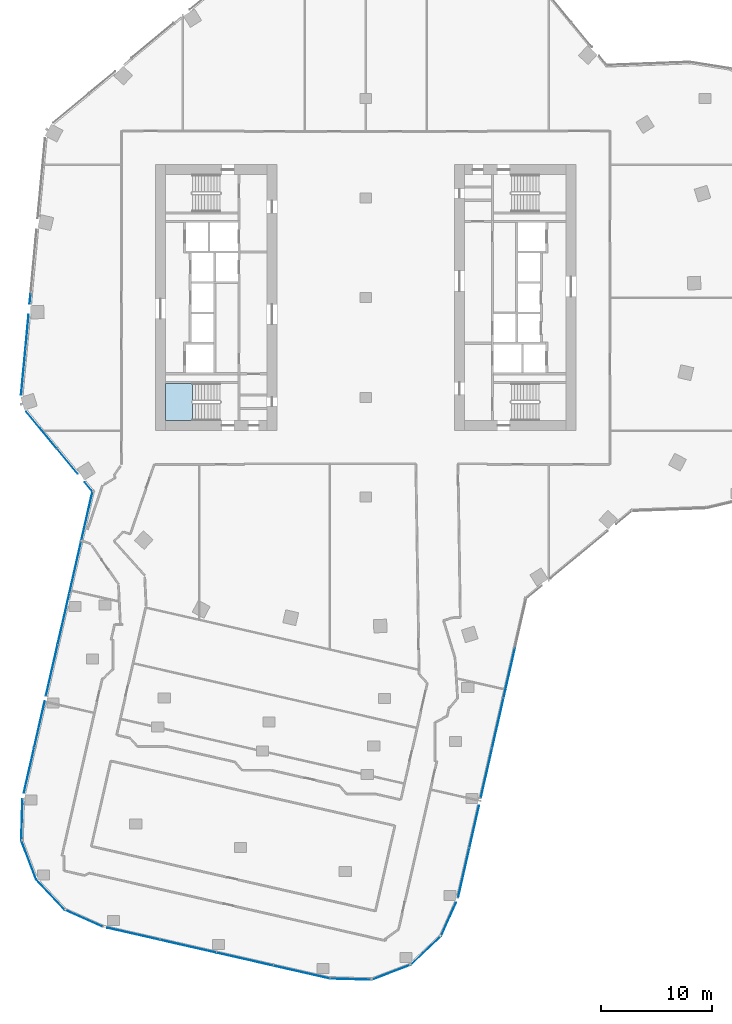
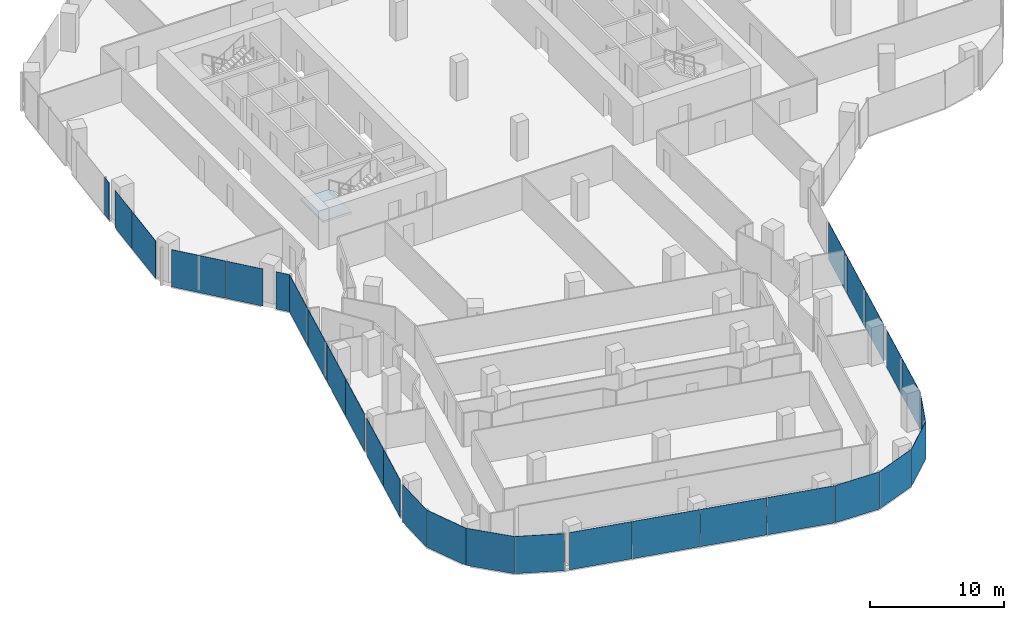
# One storey, part 14 of 24: 29 plates, 1 slab, 14 elements without a shape of their own.
"""IFC4 building model written with IfcOpenShell, lengths in metres."""

from ifc_helpers import new_model, si_unit, direction, frame, origin, origin_2d, place, context, subcontext, project, spatial, polyline, rectangle, outline, extrude, material, layer, layer_set, type_object, element, aggregate, save


model = new_model("IFC4")

# Units and contexts
model_context = context("Model", 3, precision=1e-05, world=origin(), true_north=direction((0.0, 1.0)))
body_context = subcontext(model_context, "Body", "Model", "MODEL_VIEW")
ifc_project = project(units=[si_unit("LENGTHUNIT", "METRE"), si_unit("AREAUNIT", "SQUARE_METRE"), si_unit("VOLUMEUNIT", "CUBIC_METRE"), si_unit("PLANEANGLEUNIT", "RADIAN"), si_unit("MASSUNIT", "GRAM", prefix="KILO")], contexts=[model_context])

# Site, building, storey
site_placement = place(None, origin())
site = spatial("IfcSite", under=ifc_project, at=site_placement, CompositionType="ELEMENT")
building_placement = place(site_placement, origin())
building = spatial("IfcBuilding", under=site, at=building_placement, Name="Orlundy Tower", CompositionType="ELEMENT")
storey_placement = place(building_placement, frame((0.0, 0.0, 174.10009765625)))
storey = spatial("IfcBuildingStorey", under=building, at=storey_placement, Name="L45", CompositionType="ELEMENT", Elevation=174.10009765625)

# Curtain wall, plates
ifc_material_1 = material(Name="Aluminium bronze anodised", Category="aluminium")
curtain_wall_type = type_object("IfcCurtainWallType", Name="CW1 wall", PredefinedType="NOTDEFINED", material=ifc_material_1)
curtain_wall_1_placement = place(storey_placement, origin())
curtain_wall_1 = element("IfcCurtainWall", 1, at=curtain_wall_1_placement, inside=storey, type_object=curtain_wall_type, Name="CW1 run 00", PredefinedType="NOTDEFINED")
ifc_material_2 = material(Name="Tinted glass", Category="glass")
ifc_layer_1 = layer(ifc_material_2, 0.031982421875)
ifc_layer_set_1 = layer_set([ifc_layer_1], Name="CW1 glass panel 32")
plate_type = type_object("IfcPlateType", Name="CW1 glass panel 32", PredefinedType="CURTAIN_PANEL", material=ifc_layer_set_1)
plate_1_placement = place(storey_placement, frame((-30.400390625, -42.668701171875, -0.300048828125), z_axis=(0.0, 0.0, 1.0), x_axis=(0.222096733251, 0.97502463614, 0.0)))
plate_1 = element("IfcPlate", 2, at=plate_1_placement, type_object=plate_type, Name="CW1 panel", PredefinedType="CURTAIN_PANEL", context=body_context, shape_type="SweptSolid", body=[
    extrude(rectangle(XDim=4.1708984375, YDim=0.031982421875, at=origin_2d()), origin(), (0.0, 0.0, 1.0), 3.3798828125),
])
plate_2_placement = place(storey_placement, frame((-29.45654296875, -38.52490234375, -0.300048828125), z_axis=(0.0, 0.0, 1.0), x_axis=(0.222096733251, 0.97502463614, 0.0)))
plate_2 = element("IfcPlate", 3, at=plate_2_placement, type_object=plate_type, Name="CW1 panel", PredefinedType="CURTAIN_PANEL", context=body_context, shape_type="SweptSolid", body=[
    extrude(rectangle(XDim=4.228759765625, YDim=0.031982421875, at=origin_2d()), origin(), (0.0, 0.0, 1.0), 3.3798828125),
])
plate_3_placement = place(storey_placement, frame((-28.347412109375, -33.656005859375, -0.300048828125), z_axis=(0.0, 0.0, 1.0), x_axis=(0.222096733251, 0.97502463614, 0.0)))
plate_3 = element("IfcPlate", 4, at=plate_3_placement, type_object=plate_type, Name="CW1 panel", PredefinedType="CURTAIN_PANEL", context=body_context, shape_type="SweptSolid", body=[
    extrude(rectangle(XDim=4.705322265625, YDim=0.031982421875, at=origin_2d()), origin(), (0.0, 0.0, 1.0), 3.3798828125),
])
plate_4_placement = place(storey_placement, frame((-27.291259765625, -29.019287109375, -0.300048828125), z_axis=(0.0, 0.0, 1.0), x_axis=(0.222096733251, 0.97502463614, 0.0)))
plate_4 = element("IfcPlate", 5, at=plate_4_placement, type_object=plate_type, Name="CW1 panel", PredefinedType="CURTAIN_PANEL", context=body_context, shape_type="SweptSolid", body=[
    extrude(rectangle(XDim=4.705322265625, YDim=0.031982421875, at=origin_2d()), origin(), (0.0, 0.0, 1.0), 3.3798828125),
])
plate_5_placement = place(storey_placement, frame((-26.235107421875, -24.382568359375, -0.300048828125), z_axis=(0.0, 0.0, 1.0), x_axis=(0.222096733251, 0.97502463614, 0.0)))
plate_5 = element("IfcPlate", 6, at=plate_5_placement, type_object=plate_type, Name="CW1 panel", PredefinedType="CURTAIN_PANEL", context=body_context, shape_type="SweptSolid", body=[
    extrude(rectangle(XDim=4.705322265625, YDim=0.031982421875, at=origin_2d()), origin(), (0.0, 0.0, 1.0), 3.3798828125),
])
plate_6_placement = place(storey_placement, frame((-25.185302734375, -19.773193359375, -0.300048828125), z_axis=(0.0, 0.0, 1.0), x_axis=(0.222096733251, 0.97502463614, 0.0)))
plate_6 = element("IfcPlate", 7, at=plate_6_placement, type_object=plate_type, Name="CW1 panel", PredefinedType="CURTAIN_PANEL", context=body_context, shape_type="SweptSolid", body=[
    extrude(rectangle(XDim=4.649658203125, YDim=0.031982421875, at=origin_2d()), origin(), (0.0, 0.0, 1.0), 3.3798828125),
])
aggregate(curtain_wall_1, [plate_1, plate_2, plate_3, plate_4, plate_5, plate_6])

curtain_wall_2_placement = place(storey_placement, origin())
curtain_wall_2 = element("IfcCurtainWall", 8, at=curtain_wall_2_placement, inside=storey, type_object=curtain_wall_type, Name="CW1 run 01", PredefinedType="NOTDEFINED")
plate_7_placement = place(storey_placement, frame((-25.015625, -17.08837890625, -0.300048828125), z_axis=(0.0, 0.0, 1.0), x_axis=(-0.638299162368, 0.769788399055, 0.0)))
plate_7 = element("IfcPlate", 9, at=plate_7_placement, type_object=plate_type, Name="CW1 panel", PredefinedType="CURTAIN_PANEL", context=body_context, shape_type="SweptSolid", body=[
    extrude(rectangle(XDim=1.086181640625, YDim=0.031982421875, at=origin_2d()), origin(), (0.0, 0.0, 1.0), 3.3798828125),
])
plate_8_placement = place(storey_placement, frame((-26.939453125, -14.76806640625, -0.300048828125), z_axis=(0.0, 0.0, 1.0), x_axis=(-0.638299162368, 0.769788399055, 0.0)))
plate_8 = element("IfcPlate", 10, at=plate_8_placement, type_object=plate_type, Name="CW1 panel", PredefinedType="CURTAIN_PANEL", context=body_context, shape_type="SweptSolid", body=[
    extrude(rectangle(XDim=2.910400390625, YDim=0.031982421875, at=origin_2d()), origin(), (0.0, 0.0, 1.0), 3.3798828125),
])
plate_9_placement = place(storey_placement, frame((-29.271240234375, -11.9560546875, -0.300048828125), z_axis=(0.0, 0.0, 1.0), x_axis=(-0.638299162368, 0.769788399055, 0.0)))
plate_9 = element("IfcPlate", 11, at=plate_9_placement, type_object=plate_type, Name="CW1 panel", PredefinedType="CURTAIN_PANEL", context=body_context, shape_type="SweptSolid", body=[
    extrude(rectangle(XDim=4.2958984375, YDim=0.031982421875, at=origin_2d()), origin(), (0.0, 0.0, 1.0), 3.3798828125),
])
aggregate(curtain_wall_2, [plate_7, plate_8, plate_9])

curtain_wall_3_placement = place(storey_placement, origin())
curtain_wall_3 = element("IfcCurtainWall", 12, at=curtain_wall_3_placement, inside=storey, type_object=curtain_wall_type, Name="CW1 run 02", PredefinedType="NOTDEFINED")
plate_10_placement = place(storey_placement, frame((-30.92138671875, -6.709228515625, -0.300048828125), z_axis=(0.0, 0.0, 1.0), x_axis=(0.092948066811, 0.995670958136, 0.0)))
plate_10 = element("IfcPlate", 13, at=plate_10_placement, type_object=plate_type, Name="CW1 panel", PredefinedType="CURTAIN_PANEL", context=body_context, shape_type="SweptSolid", body=[
    extrude(rectangle(XDim=4.14697265625, YDim=0.031982421875, at=origin_2d()), origin(), (0.0, 0.0, 1.0), 3.3798828125),
])
plate_11_placement = place(storey_placement, frame((-30.58203125, -3.073974609375, -0.300048828125), z_axis=(0.0, 0.0, 1.0), x_axis=(0.092948066811, 0.995670958136, 0.0)))
plate_11 = element("IfcPlate", 14, at=plate_11_placement, type_object=plate_type, Name="CW1 panel", PredefinedType="CURTAIN_PANEL", context=body_context, shape_type="SweptSolid", body=[
    extrude(rectangle(XDim=3.05517578125, YDim=0.031982421875, at=origin_2d()), origin(), (0.0, 0.0, 1.0), 3.3798828125),
])
plate_12_placement = place(storey_placement, frame((-30.305908203125, -0.1171875, -0.300048828125), z_axis=(0.0, 0.0, 1.0), x_axis=(0.092948066811, 0.995670958136, 0.0)))
plate_12 = element("IfcPlate", 15, at=plate_12_placement, type_object=plate_type, Name="CW1 panel", PredefinedType="CURTAIN_PANEL", context=body_context, shape_type="SweptSolid", body=[
    extrude(rectangle(XDim=0.846923828125, YDim=0.031982421875, at=origin_2d()), origin(), (0.0, 0.0, 1.0), 3.3798828125),
])
aggregate(curtain_wall_3, [plate_10, plate_11, plate_12])

curtain_wall_4_placement = place(storey_placement, origin())
curtain_wall_4 = element("IfcCurtainWall", 16, at=curtain_wall_4_placement, inside=storey, type_object=curtain_wall_type, Name="CW1 run 018", PredefinedType="NOTDEFINED")
plate_13_placement = place(storey_placement, frame((12.961181640625, -33.886962890625, -0.300048828125), z_axis=(0.0, 0.0, 1.0), x_axis=(-0.222106437373, -0.975022425628, 0.0)))
plate_13 = element("IfcPlate", 17, at=plate_13_placement, type_object=plate_type, Name="CW1 panel", PredefinedType="CURTAIN_PANEL", context=body_context, shape_type="SweptSolid", body=[
    extrude(rectangle(XDim=4.58056640625, YDim=0.031982421875, at=origin_2d()), origin(), (0.0, 0.0, 1.0), 3.3798828125),
])
plate_14_placement = place(storey_placement, frame((11.9326171875, -38.40185546875, -0.300048828125), z_axis=(0.0, 0.0, 1.0), x_axis=(-0.222106437373, -0.975022425628, 0.0)))
plate_14 = element("IfcPlate", 18, at=plate_14_placement, type_object=plate_type, Name="CW1 panel", PredefinedType="CURTAIN_PANEL", context=body_context, shape_type="SweptSolid", body=[
    extrude(rectangle(XDim=4.58056640625, YDim=0.031982421875, at=origin_2d()), origin(), (0.0, 0.0, 1.0), 3.3798828125),
])
plate_15_placement = place(storey_placement, frame((10.904052734375, -42.9169921875, -0.300048828125), z_axis=(0.0, 0.0, 1.0), x_axis=(-0.222106437373, -0.975022425628, 0.0)))
plate_15 = element("IfcPlate", 19, at=plate_15_placement, type_object=plate_type, Name="CW1 panel", PredefinedType="CURTAIN_PANEL", context=body_context, shape_type="SweptSolid", body=[
    extrude(rectangle(XDim=4.58056640625, YDim=0.031982421875, at=origin_2d()), origin(), (0.0, 0.0, 1.0), 3.3798828125),
])
plate_16_placement = place(storey_placement, frame((9.79833984375, -47.77099609375, -0.300048828125), z_axis=(0.0, 0.0, 1.0), x_axis=(-0.222106437373, -0.975022425628, 0.0)))
plate_16 = element("IfcPlate", 20, at=plate_16_placement, type_object=plate_type, Name="CW1 panel", PredefinedType="CURTAIN_PANEL", context=body_context, shape_type="SweptSolid", body=[
    extrude(rectangle(XDim=3.885009765625, YDim=0.031982421875, at=origin_2d()), origin(), (0.0, 0.0, 1.0), 3.3798828125),
])
plate_17_placement = place(storey_placement, frame((8.85400390625, -51.917236328125, -0.300048828125), z_axis=(0.0, 0.0, 1.0), x_axis=(-0.222106437373, -0.975022425628, 0.0)))
plate_17 = element("IfcPlate", 21, at=plate_17_placement, type_object=plate_type, Name="CW1 panel", PredefinedType="CURTAIN_PANEL", context=body_context, shape_type="SweptSolid", body=[
    extrude(rectangle(XDim=4.519775390625, YDim=0.031982421875, at=origin_2d()), origin(), (0.0, 0.0, 1.0), 3.3798828125),
])
aggregate(curtain_wall_4, [plate_13, plate_14, plate_15, plate_16, plate_17])

# Curtain wall, plate
curtain_wall_5_placement = place(storey_placement, origin())
curtain_wall_5 = element("IfcCurtainWall", 22, at=curtain_wall_5_placement, inside=storey, type_object=curtain_wall_type, Name="CW1 run 019", PredefinedType="NOTDEFINED")
plate_18_placement = place(storey_placement, frame((7.473388671875, -56.13427734375, -0.300048828125), z_axis=(0.0, 0.0, 1.0), x_axis=(-0.408164927627, -0.912908205602, 0.0)))
plate_18 = element("IfcPlate", 23, at=plate_18_placement, type_object=plate_type, Name="CW1 panel", PredefinedType="CURTAIN_PANEL", context=body_context, shape_type="SweptSolid", body=[
    extrude(rectangle(XDim=3.317626953125, YDim=0.031982421875, at=origin_2d()), origin(), (0.0, 0.0, 1.0), 3.3798828125),
])
aggregate(curtain_wall_5, [plate_18])

curtain_wall_6_placement = place(storey_placement, origin())
curtain_wall_6 = element("IfcCurtainWall", 24, at=curtain_wall_6_placement, inside=storey, type_object=curtain_wall_type, Name="CW1 run 020", PredefinedType="NOTDEFINED")
plate_19_placement = place(storey_placement, frame((5.42626953125, -58.945068359375, -0.300048828125), z_axis=(0.0, 0.0, 1.0), x_axis=(-0.726391984534, -0.687280644864, 0.0)))
plate_19 = element("IfcPlate", 25, at=plate_19_placement, type_object=plate_type, Name="CW1 panel", PredefinedType="CURTAIN_PANEL", context=body_context, shape_type="SweptSolid", body=[
    extrude(rectangle(XDim=3.772705078125, YDim=0.031982421875, at=origin_2d()), origin(), (0.0, 0.0, 1.0), 3.3798828125),
])
aggregate(curtain_wall_6, [plate_19])

curtain_wall_7_placement = place(storey_placement, origin())
curtain_wall_7 = element("IfcCurtainWall", 26, at=curtain_wall_7_placement, inside=storey, type_object=curtain_wall_type, Name="CW1 run 021", PredefinedType="NOTDEFINED")
plate_20_placement = place(storey_placement, frame((2.29443359375, -60.914794921875, -0.300048828125), z_axis=(0.0, 0.0, 1.0), x_axis=(-0.934115354942, -0.356971292489, 0.0)))
plate_20 = element("IfcPlate", 27, at=plate_20_placement, type_object=plate_type, Name="CW1 panel", PredefinedType="CURTAIN_PANEL", context=body_context, shape_type="SweptSolid", body=[
    extrude(rectangle(XDim=3.771484375, YDim=0.031982421875, at=origin_2d()), origin(), (0.0, 0.0, 1.0), 3.3798828125),
])
aggregate(curtain_wall_7, [plate_20])

curtain_wall_8_placement = place(storey_placement, origin())
curtain_wall_8 = element("IfcCurtainWall", 28, at=curtain_wall_8_placement, inside=storey, type_object=curtain_wall_type, Name="CW1 run 022", PredefinedType="NOTDEFINED")
plate_21_placement = place(storey_placement, frame((-1.331298828125, -61.53662109375, -0.300048828125), z_axis=(0.0, 0.0, 1.0), x_axis=(-0.999621254799, 0.02751993738, 0.0)))
plate_21 = element("IfcPlate", 29, at=plate_21_placement, type_object=plate_type, Name="CW1 panel", PredefinedType="CURTAIN_PANEL", context=body_context, shape_type="SweptSolid", body=[
    extrude(rectangle(XDim=3.72998046875, YDim=0.031982421875, at=origin_2d()), origin(), (0.0, 0.0, 1.0), 3.3798828125),
])
aggregate(curtain_wall_8, [plate_21])

# Curtain wall, plates
curtain_wall_9_placement = place(storey_placement, origin())
curtain_wall_9 = element("IfcCurtainWall", 30, at=curtain_wall_9_placement, inside=storey, type_object=curtain_wall_type, Name="CW1 run 023", PredefinedType="NOTDEFINED")
plate_22_placement = place(storey_placement, frame((-5.7880859375, -60.899658203125, -0.300048828125), z_axis=(0.0, 0.0, 1.0), x_axis=(-0.975026093537, 0.222090335048, 0.0)))
plate_22 = element("IfcPlate", 31, at=plate_22_placement, type_object=plate_type, Name="CW1 panel", PredefinedType="CURTAIN_PANEL", context=body_context, shape_type="SweptSolid", body=[
    extrude(rectangle(XDim=5.216064453125, YDim=0.031982421875, at=origin_2d()), origin(), (0.0, 0.0, 1.0), 3.3798828125),
])
plate_23_placement = place(storey_placement, frame((-10.9150390625, -59.73193359375, -0.300048828125), z_axis=(0.0, 0.0, 1.0), x_axis=(-0.975026093537, 0.222090335048, 0.0)))
plate_23 = element("IfcPlate", 32, at=plate_23_placement, type_object=plate_type, Name="CW1 panel", PredefinedType="CURTAIN_PANEL", context=body_context, shape_type="SweptSolid", body=[
    extrude(rectangle(XDim=5.2001953125, YDim=0.031982421875, at=origin_2d()), origin(), (0.0, 0.0, 1.0), 3.3798828125),
])
plate_24_placement = place(storey_placement, frame((-16.033935546875, -58.56591796875, -0.300048828125), z_axis=(0.0, 0.0, 1.0), x_axis=(-0.975026093537, 0.222090335048, 0.0)))
plate_24 = element("IfcPlate", 33, at=plate_24_placement, type_object=plate_type, Name="CW1 panel", PredefinedType="CURTAIN_PANEL", context=body_context, shape_type="SweptSolid", body=[
    extrude(rectangle(XDim=5.2001953125, YDim=0.031982421875, at=origin_2d()), origin(), (0.0, 0.0, 1.0), 3.3798828125),
])
plate_25_placement = place(storey_placement, frame((-20.98486328125, -57.438232421875, -0.300048828125), z_axis=(0.0, 0.0, 1.0), x_axis=(-0.975026093537, 0.222090335048, 0.0)))
plate_25 = element("IfcPlate", 34, at=plate_25_placement, type_object=plate_type, Name="CW1 panel", PredefinedType="CURTAIN_PANEL", context=body_context, shape_type="SweptSolid", body=[
    extrude(rectangle(XDim=4.85546875, YDim=0.031982421875, at=origin_2d()), origin(), (0.0, 0.0, 1.0), 3.3798828125),
])
aggregate(curtain_wall_9, [plate_22, plate_23, plate_24, plate_25])

# Curtain wall, plate
curtain_wall_10_placement = place(storey_placement, origin())
curtain_wall_10 = element("IfcCurtainWall", 35, at=curtain_wall_10_placement, inside=storey, type_object=curtain_wall_type, Name="CW1 run 024", PredefinedType="NOTDEFINED")
plate_26_placement = place(storey_placement, frame((-25.453857421875, -56.041748046875, -0.300048828125), z_axis=(0.0, 0.0, 1.0), x_axis=(-0.912908205602, 0.408164927627, 0.0)))
plate_26 = element("IfcPlate", 36, at=plate_26_placement, type_object=plate_type, Name="CW1 panel", PredefinedType="CURTAIN_PANEL", context=body_context, shape_type="SweptSolid", body=[
    extrude(rectangle(XDim=3.73046875, YDim=0.031982421875, at=origin_2d()), origin(), (0.0, 0.0, 1.0), 3.3798828125),
])
aggregate(curtain_wall_10, [plate_26])

curtain_wall_11_placement = place(storey_placement, origin())
curtain_wall_11 = element("IfcCurtainWall", 37, at=curtain_wall_11_placement, inside=storey, type_object=curtain_wall_type, Name="CW1 run 025", PredefinedType="NOTDEFINED")
plate_27_placement = place(storey_placement, frame((-28.45263671875, -53.91015625, -0.300048828125), z_axis=(0.0, 0.0, 1.0), x_axis=(-0.68713828172, 0.726526655942, 0.0)))
plate_27 = element("IfcPlate", 38, at=plate_27_placement, type_object=plate_type, Name="CW1 panel", PredefinedType="CURTAIN_PANEL", context=body_context, shape_type="SweptSolid", body=[
    extrude(rectangle(XDim=3.77197265625, YDim=0.031982421875, at=origin_2d()), origin(), (0.0, 0.0, 1.0), 3.3798828125),
])
aggregate(curtain_wall_11, [plate_27])

curtain_wall_12_placement = place(storey_placement, origin())
curtain_wall_12 = element("IfcCurtainWall", 39, at=curtain_wall_12_placement, inside=storey, type_object=curtain_wall_type, Name="CW1 run 026", PredefinedType="NOTDEFINED")
plate_28_placement = place(storey_placement, frame((-30.422119140625, -50.778564453125, -0.300048828125), z_axis=(0.0, 0.0, 1.0), x_axis=(-0.357206695331, 0.934025361974, 0.0)))
plate_28 = element("IfcPlate", 40, at=plate_28_placement, type_object=plate_type, Name="CW1 panel", PredefinedType="CURTAIN_PANEL", context=body_context, shape_type="SweptSolid", body=[
    extrude(rectangle(XDim=3.771728515625, YDim=0.031982421875, at=origin_2d()), origin(), (0.0, 0.0, 1.0), 3.3798828125),
])
aggregate(curtain_wall_12, [plate_28])

curtain_wall_13_placement = place(storey_placement, origin())
curtain_wall_13 = element("IfcCurtainWall", 41, at=curtain_wall_13_placement, inside=storey, type_object=curtain_wall_type, Name="CW1 run 027", PredefinedType="NOTDEFINED")
plate_29_placement = place(storey_placement, frame((-31.0439453125, -47.15283203125, -0.300048828125), z_axis=(0.0, 0.0, 1.0), x_axis=(0.027789533343, 0.999613796342, 0.0)))
plate_29 = element("IfcPlate", 42, at=plate_29_placement, type_object=plate_type, Name="CW1 panel", PredefinedType="CURTAIN_PANEL", context=body_context, shape_type="SweptSolid", body=[
    extrude(rectangle(XDim=3.72998046875, YDim=0.031982421875, at=origin_2d()), origin(), (0.0, 0.0, 1.0), 3.3798828125),
])
aggregate(curtain_wall_13, [plate_29])

# Stair, slab
ifc_material_3 = material(Name="Concrete C50/60", Category="concrete")
stair_type = type_object("IfcStairType", Name="Exit Stair 20 risers", PredefinedType="HALF_TURN_STAIR", material=ifc_material_3)
stair_placement = place(storey_placement, origin())
stair = element("IfcStair", 43, at=stair_placement, inside=storey, type_object=stair_type, Name="L45 Exit Stair ST-W2", PredefinedType="HALF_TURN_STAIR")
ifc_material_4 = material(Name="Concrete C50/60", Category="concrete")
ifc_layer_2 = layer(ifc_material_4, 0.199951171875)
ifc_layer_set_2 = layer_set([ifc_layer_2], Name="Exit Stair Landing")
slab_type = type_object("IfcSlabType", Name="Exit Stair Landing", PredefinedType="LANDING", material=ifc_layer_set_2)
slab_placement = place(storey_placement, frame((0.0, 0.0, 1.5498046875)))
slab = element("IfcSlab", 44, at=slab_placement, type_object=slab_type, Name="ST-W2 landing 1", PredefinedType="LANDING", context=body_context, shape_type="SweptSolid", body=[
    extrude(outline(polyline([(-15.659912109375, -7.75), (-18.10009765625, -7.75), (-18.10009765625, -11.10009765625), (-15.659912109375, -11.10009765625), (-15.659912109375, -7.75)])), origin(), (0.0, 0.0, 1.0), 0.2001953125),
])
aggregate(stair, [slab])

save(model, "model.ifc")
